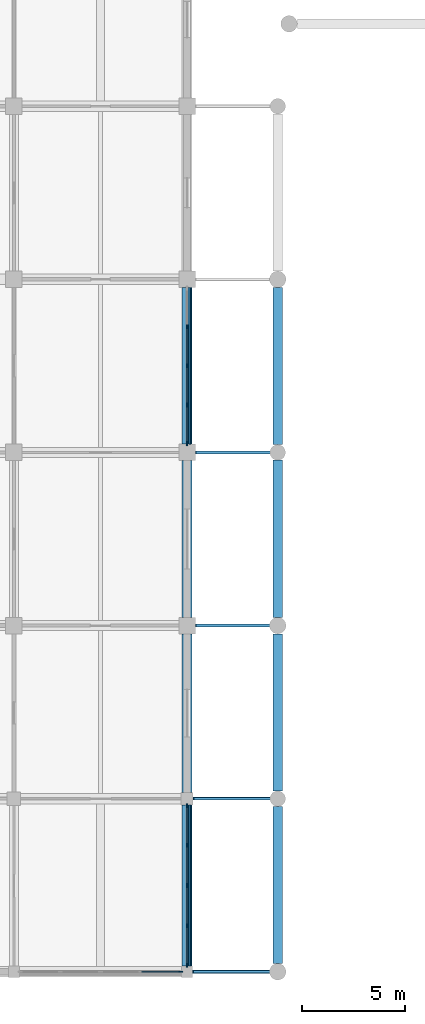
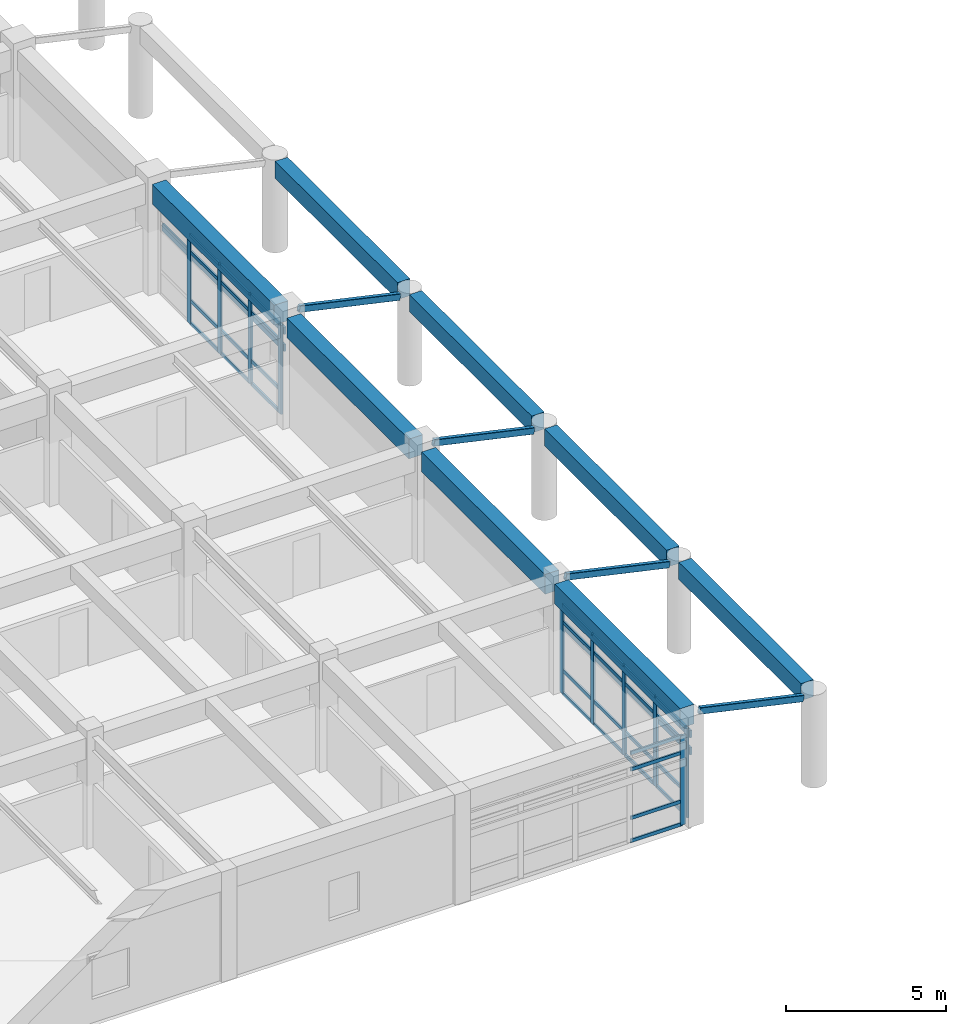
# One storey, part 5 of 99: 50 members, 8 beams, 3 elements without a shape of their own.
"""IFC4 building model written with IfcOpenShell, lengths in metres."""

from ifc_helpers import new_model, si_unit, direction, frame, origin, origin_2d, place, context, subcontext, project, spatial, rectangle, hollow_rectangle, extrude, material, layer, layer_set, material_profile, profile_set, type_object, element, aggregate, save


model = new_model("IFC4")

# Units and contexts
model_context = context("Model", 3, precision=1e-05, world=origin(), true_north=direction((0.0, 1.0)))
body_context = subcontext(model_context, "Body", "Model", "MODEL_VIEW")
ifc_project = project(units=[si_unit("LENGTHUNIT", "METRE"), si_unit("AREAUNIT", "SQUARE_METRE"), si_unit("VOLUMEUNIT", "CUBIC_METRE"), si_unit("PLANEANGLEUNIT", "RADIAN"), si_unit("MASSUNIT", "GRAM", prefix="KILO")], contexts=[model_context])

# Site, building, storey
site_placement = place(None, origin())
site = spatial("IfcSite", under=ifc_project, at=site_placement, CompositionType="ELEMENT")
building_placement = place(site_placement, origin())
building = spatial("IfcBuilding", under=site, at=building_placement, Name="Porcellanite Civic Hall", CompositionType="ELEMENT")
storey_placement = place(building_placement, frame((0.0, 0.0, 5.760009765625)))
storey = spatial("IfcBuildingStorey", under=building, at=storey_placement, Name="L01", CompositionType="ELEMENT", Elevation=5.760009765625)

# Beams
ifc_material_1 = material(Name="Concrete N50 (50 MPa)", Category="concrete")
ifc_material_profile_1 = material_profile(ifc_material_1, rectangle(XDim=0.449951171875, YDim=0.64990234375, at=origin_2d()), Name="RC-450x650")
ifc_profile_set_1 = profile_set([ifc_material_profile_1], Name="Concrete N50 (50 MPa)")
beam_type_1 = type_object("IfcBeamType", Name="BM-RC650", PredefinedType="SPANDREL", material=ifc_profile_set_1)
for number, where, z_axis, x_axis, name in (
    (1, (38.0, 0.3994140625, 3.205078125), (0.0, 1.0, 0.0), (-1.0, 0.0, 0.0), "Colonnade keystone beam L01 COL-W-P01"),
    (2, (38.0, 8.7744140625, 3.205078125), (0.0, 1.0, 0.0), (-1.0, 0.0, 0.0), "Colonnade keystone beam L01 COL-W-P02"),
    (3, (38.0, 17.199462890625, 3.205078125), (0.0, 1.0, 0.0), (-1.0, 0.0, 0.0), "Colonnade keystone beam L01 COL-W-P03"),
    (4, (38.0, 25.574462890625, 3.205078125), (0.0, 1.0, 0.0), (-1.0, 0.0, 0.0), "Colonnade keystone beam L01 COL-W-P04"),
):
    element("IfcBeam", number, at=place(storey_placement, frame(where, z_axis=z_axis, x_axis=x_axis)), inside=storey, type_object=beam_type_1, Name=name, PredefinedType="SPANDREL", context=body_context, shape_type="SweptSolid", body=[
        extrude(rectangle(XDim=0.449951171875, YDim=0.64990234375, at=origin_2d()), origin(), (0.0, 0.0, 1.0), 7.6259765625),
    ])
ifc_material_2 = material(Name="Concrete N50 (50 MPa)", Category="concrete")
ifc_material_profile_2 = material_profile(ifc_material_2, rectangle(XDim=0.5, YDim=0.75, at=origin_2d()), Name="RC-500x750")
ifc_profile_set_2 = profile_set([ifc_material_profile_2], Name="Concrete N50 (50 MPa)")
beam_type_2 = type_object("IfcBeamType", Name="BM-RC750", PredefinedType="SPANDREL", material=ifc_profile_set_2)
beam_1_placement = place(storey_placement, frame((33.60009765625, 0.2744140625, 3.824951171875), z_axis=(0.0, 1.0, 0.0), x_axis=(-1.0, 0.0, 0.0)))
element("IfcBeam", 5, at=beam_1_placement, inside=storey, type_object=beam_type_2, Name="Beam Y L01 5-1", PredefinedType="SPANDREL", context=body_context, shape_type="SweptSolid", body=[
    extrude(rectangle(XDim=0.5, YDim=0.75, at=origin_2d()), origin(), (0.0, 0.0, 1.0), 7.826171875),
])
beam_2_placement = place(storey_placement, frame((33.60009765625, 8.699462890625, 3.824951171875), z_axis=(0.0, 1.0, 0.0), x_axis=(-1.0, 0.0, 0.0)))
element("IfcBeam", 6, at=beam_2_placement, inside=storey, type_object=beam_type_2, Name="Beam Y L01 5-2", PredefinedType="SPANDREL", context=body_context, shape_type="SweptSolid", body=[
    extrude(rectangle(XDim=0.5, YDim=0.75, at=origin_2d()), origin(), (0.0, 0.0, 1.0), 7.700927734375),
])
beam_3_placement = place(storey_placement, frame((33.60009765625, 17.199462890625, 3.824951171875), z_axis=(0.0, 1.0, 0.0), x_axis=(-1.0, 0.0, 0.0)))
element("IfcBeam", 7, at=beam_3_placement, inside=storey, type_object=beam_type_2, Name="Beam Y L01 5-3", PredefinedType="SPANDREL", context=body_context, shape_type="SweptSolid", body=[
    extrude(rectangle(XDim=0.5, YDim=0.75, at=origin_2d()), origin(), (0.0, 0.0, 1.0), 7.60107421875),
])
beam_4_placement = place(storey_placement, frame((33.60009765625, 25.599609375, 3.824951171875), z_axis=(0.0, 1.0, 0.0), x_axis=(-1.0, 0.0, 0.0)))
element("IfcBeam", 8, at=beam_4_placement, inside=storey, type_object=beam_type_2, Name="Beam Y L01 5-4", PredefinedType="SPANDREL", context=body_context, shape_type="SweptSolid", body=[
    extrude(rectangle(XDim=0.5, YDim=0.75, at=origin_2d()), origin(), (0.0, 0.0, 1.0), 7.600830078125),
])

# Curtain wall, member
ifc_material_3 = material(Name="Anodised aluminium and solar laminated glass", Category="aluminium")
ifc_layer = layer(ifc_material_3, 0.179931640625)
ifc_layer_set = layer_set([ifc_layer], Name="Anodised aluminium and solar laminated glass")
curtain_wall_type = type_object("IfcCurtainWallType", Name="CW-SYS05", PredefinedType="NOTDEFINED", material=ifc_layer_set)
curtain_wall_1_placement = place(storey_placement, origin())
curtain_wall_1 = element("IfcCurtainWall", 9, at=curtain_wall_1_placement, inside=storey, type_object=curtain_wall_type, Name="Curtain wall CW-069", PredefinedType="NOTDEFINED")
ifc_material_4 = material(Name="Anodised aluminium 6063-T6", Category="aluminium")
ifc_material_profile_3 = material_profile(ifc_material_4, rectangle(XDim=0.070068359375, YDim=0.199951171875, at=origin_2d()), Name="AL-70x200")
ifc_profile_set_3 = profile_set([ifc_material_profile_3], Name="Anodised aluminium 6063-T6")
member_type_1 = type_object("IfcMemberType", Name="CWM-05", PredefinedType="MULLION", material=ifc_profile_set_3)
member_1_placement = place(storey_placement, frame((33.2890625, 0.0, 0.0), z_axis=(0.0, 0.0, 1.0), x_axis=(0.0, -1.0, 0.0)))
member_1 = element("IfcMember", 10, at=member_1_placement, type_object=member_type_1, Name="CW-069 mullion 1", PredefinedType="MULLION", context=body_context, shape_type="SweptSolid", body=[
    extrude(rectangle(XDim=0.070068359375, YDim=0.199951171875, at=origin_2d()), origin(), (0.0, 0.0, 1.0), 3.39990234375),
])

# Curtain wall, members
curtain_wall_2_placement = place(storey_placement, origin())
curtain_wall_2 = element("IfcCurtainWall", 11, at=curtain_wall_2_placement, inside=storey, type_object=curtain_wall_type, Name="Curtain wall CW-070", PredefinedType="NOTDEFINED")
member_2_placement = place(storey_placement, frame((33.60009765625, 8.06396484375, 0.0), z_axis=(0.0, 0.0, 1.0), x_axis=(1.0, 0.0, 0.0)))
member_2 = element("IfcMember", 12, at=member_2_placement, type_object=member_type_1, Name="CW-070 mullion 1", PredefinedType="MULLION", context=body_context, shape_type="SweptSolid", body=[
    extrude(rectangle(XDim=0.070068359375, YDim=0.199951171875, at=origin_2d()), origin(), (0.0, 0.0, 1.0), 3.39990234375),
])
member_3_placement = place(storey_placement, frame((33.60009765625, 6.143310546875, 0.0), z_axis=(0.0, 0.0, 1.0), x_axis=(1.0, 0.0, 0.0)))
member_3 = element("IfcMember", 13, at=member_3_placement, type_object=member_type_1, Name="CW-070 mullion 2", PredefinedType="MULLION", context=body_context, shape_type="SweptSolid", body=[
    extrude(rectangle(XDim=0.070068359375, YDim=0.199951171875, at=origin_2d()), origin(), (0.0, 0.0, 1.0), 3.39990234375),
])
member_4_placement = place(storey_placement, frame((33.60009765625, 4.1875, 0.0), z_axis=(0.0, 0.0, 1.0), x_axis=(1.0, 0.0, 0.0)))
member_4 = element("IfcMember", 14, at=member_4_placement, type_object=member_type_1, Name="CW-070 mullion 3", PredefinedType="MULLION", context=body_context, shape_type="SweptSolid", body=[
    extrude(rectangle(XDim=0.070068359375, YDim=0.199951171875, at=origin_2d()), origin(), (0.0, 0.0, 1.0), 3.39990234375),
])
member_5_placement = place(storey_placement, frame((33.60009765625, 2.231689453125, 0.0), z_axis=(0.0, 0.0, 1.0), x_axis=(1.0, 0.0, 0.0)))
member_5 = element("IfcMember", 15, at=member_5_placement, type_object=member_type_1, Name="CW-070 mullion 4", PredefinedType="MULLION", context=body_context, shape_type="SweptSolid", body=[
    extrude(rectangle(XDim=0.070068359375, YDim=0.199951171875, at=origin_2d()), origin(), (0.0, 0.0, 1.0), 3.39990234375),
])
member_6_placement = place(storey_placement, frame((33.60009765625, 0.31103515625, 0.0), z_axis=(0.0, 0.0, 1.0), x_axis=(1.0, 0.0, 0.0)))
member_6 = element("IfcMember", 16, at=member_6_placement, type_object=member_type_1, Name="CW-070 mullion 5", PredefinedType="MULLION", context=body_context, shape_type="SweptSolid", body=[
    extrude(rectangle(XDim=0.070068359375, YDim=0.199951171875, at=origin_2d()), origin(), (0.0, 0.0, 1.0), 3.39990234375),
])

curtain_wall_3_placement = place(storey_placement, origin())
curtain_wall_3 = element("IfcCurtainWall", 17, at=curtain_wall_3_placement, inside=storey, type_object=curtain_wall_type, Name="Curtain wall CW-071", PredefinedType="NOTDEFINED")
member_7_placement = place(storey_placement, frame((33.60009765625, 31.299560546875, 0.0), z_axis=(0.0, 0.0, 1.0), x_axis=(1.0, 0.0, 0.0)))
member_7 = element("IfcMember", 18, at=member_7_placement, type_object=member_type_1, Name="CW-071 mullion 2", PredefinedType="MULLION", context=body_context, shape_type="SweptSolid", body=[
    extrude(rectangle(XDim=0.070068359375, YDim=0.199951171875, at=origin_2d()), origin(), (0.0, 0.0, 1.0), 3.39990234375),
])
member_8_placement = place(storey_placement, frame((33.60009765625, 29.39990234375, 0.0), z_axis=(0.0, 0.0, 1.0), x_axis=(1.0, 0.0, 0.0)))
member_8 = element("IfcMember", 19, at=member_8_placement, type_object=member_type_1, Name="CW-071 mullion 3", PredefinedType="MULLION", context=body_context, shape_type="SweptSolid", body=[
    extrude(rectangle(XDim=0.070068359375, YDim=0.199951171875, at=origin_2d()), origin(), (0.0, 0.0, 1.0), 3.39990234375),
])
member_9_placement = place(storey_placement, frame((33.60009765625, 27.50048828125, 0.0), z_axis=(0.0, 0.0, 1.0), x_axis=(1.0, 0.0, 0.0)))
member_9 = element("IfcMember", 20, at=member_9_placement, type_object=member_type_1, Name="CW-071 mullion 4", PredefinedType="MULLION", context=body_context, shape_type="SweptSolid", body=[
    extrude(rectangle(XDim=0.070068359375, YDim=0.199951171875, at=origin_2d()), origin(), (0.0, 0.0, 1.0), 3.39990234375),
])
member_10_placement = place(storey_placement, frame((33.60009765625, 25.635986328125, 0.0), z_axis=(0.0, 0.0, 1.0), x_axis=(1.0, 0.0, 0.0)))
member_10 = element("IfcMember", 21, at=member_10_placement, type_object=member_type_1, Name="CW-071 mullion 5", PredefinedType="MULLION", context=body_context, shape_type="SweptSolid", body=[
    extrude(rectangle(XDim=0.070068359375, YDim=0.199951171875, at=origin_2d()), origin(), (0.0, 0.0, 1.0), 3.39990234375),
])

# Member
ifc_material_5 = material(Name="Anodised aluminium 6063-T6", Category="aluminium")
ifc_material_profile_4 = material_profile(ifc_material_5, rectangle(XDim=0.06005859375, YDim=0.1298828125, at=origin_2d()), Name="AL-60x130")
ifc_profile_set_4 = profile_set([ifc_material_profile_4], Name="Anodised aluminium 6063-T6")
member_type_2 = type_object("IfcMemberType", Name="CWT-03", PredefinedType="USERDEFINED", material=ifc_profile_set_4)
member_11_placement = place(storey_placement, frame((33.25390625, 0.0, 0.030029296875), z_axis=(-1.0, 0.0, 0.0), x_axis=(0.0, -1.0, 0.0)))
member_11 = element("IfcMember", 22, at=member_11_placement, type_object=member_type_2, Name="CW-069 transom 1.1", ObjectType="TRANSOM", PredefinedType="USERDEFINED", context=body_context, shape_type="SweptSolid", body=[
    extrude(rectangle(XDim=0.06005859375, YDim=0.1298828125, at=origin_2d()), origin(), (0.0, 0.0, 1.0), 1.85693359375),
])

member_12_placement = place(storey_placement, frame((33.25390625, 0.0, 0.89990234375), z_axis=(-1.0, 0.0, 0.0), x_axis=(0.0, -1.0, 0.0)))
member_12 = element("IfcMember", 23, at=member_12_placement, type_object=member_type_2, Name="CW-069 transom 1.2", ObjectType="TRANSOM", PredefinedType="USERDEFINED", context=body_context, shape_type="SweptSolid", body=[
    extrude(rectangle(XDim=0.06005859375, YDim=0.1298828125, at=origin_2d()), origin(), (0.0, 0.0, 1.0), 1.85693359375),
])

member_13_placement = place(storey_placement, frame((33.25390625, 0.0, 2.75), z_axis=(-1.0, 0.0, 0.0), x_axis=(0.0, -1.0, 0.0)))
member_13 = element("IfcMember", 24, at=member_13_placement, type_object=member_type_2, Name="CW-069 transom 1.3", ObjectType="TRANSOM", PredefinedType="USERDEFINED", context=body_context, shape_type="SweptSolid", body=[
    extrude(rectangle(XDim=0.06005859375, YDim=0.1298828125, at=origin_2d()), origin(), (0.0, 0.0, 1.0), 1.85693359375),
])

member_14_placement = place(storey_placement, frame((33.25390625, 0.0, 3.369873046875), z_axis=(-1.0, 0.0, 0.0), x_axis=(0.0, -1.0, 0.0)))
member_14 = element("IfcMember", 25, at=member_14_placement, type_object=member_type_2, Name="CW-069 transom 1.4", ObjectType="TRANSOM", PredefinedType="USERDEFINED", context=body_context, shape_type="SweptSolid", body=[
    extrude(rectangle(XDim=0.06005859375, YDim=0.1298828125, at=origin_2d()), origin(), (0.0, 0.0, 1.0), 1.85693359375),
])

aggregate(curtain_wall_1, [member_1, member_11, member_12, member_13, member_14])

member_15_placement = place(storey_placement, frame((33.60009765625, 8.029052734375, 0.030029296875), z_axis=(0.0, -1.0, 0.0), x_axis=(1.0, 0.0, 0.0)))
member_15 = element("IfcMember", 26, at=member_15_placement, type_object=member_type_2, Name="CW-070 transom 1.1", ObjectType="TRANSOM", PredefinedType="USERDEFINED", context=body_context, shape_type="SweptSolid", body=[
    extrude(rectangle(XDim=0.06005859375, YDim=0.1298828125, at=origin_2d()), origin(), (0.0, 0.0, 1.0), 1.850830078125),
])

member_16_placement = place(storey_placement, frame((33.60009765625, 8.029052734375, 0.89990234375), z_axis=(0.0, -1.0, 0.0), x_axis=(1.0, 0.0, 0.0)))
member_16 = element("IfcMember", 27, at=member_16_placement, type_object=member_type_2, Name="CW-070 transom 1.2", ObjectType="TRANSOM", PredefinedType="USERDEFINED", context=body_context, shape_type="SweptSolid", body=[
    extrude(rectangle(XDim=0.06005859375, YDim=0.1298828125, at=origin_2d()), origin(), (0.0, 0.0, 1.0), 1.850830078125),
])

member_17_placement = place(storey_placement, frame((33.60009765625, 8.029052734375, 2.75), z_axis=(0.0, -1.0, 0.0), x_axis=(1.0, 0.0, 0.0)))
member_17 = element("IfcMember", 28, at=member_17_placement, type_object=member_type_2, Name="CW-070 transom 1.3", ObjectType="TRANSOM", PredefinedType="USERDEFINED", context=body_context, shape_type="SweptSolid", body=[
    extrude(rectangle(XDim=0.06005859375, YDim=0.1298828125, at=origin_2d()), origin(), (0.0, 0.0, 1.0), 1.850830078125),
])

member_18_placement = place(storey_placement, frame((33.60009765625, 8.029052734375, 3.369873046875), z_axis=(0.0, -1.0, 0.0), x_axis=(1.0, 0.0, 0.0)))
member_18 = element("IfcMember", 29, at=member_18_placement, type_object=member_type_2, Name="CW-070 transom 1.4", ObjectType="TRANSOM", PredefinedType="USERDEFINED", context=body_context, shape_type="SweptSolid", body=[
    extrude(rectangle(XDim=0.06005859375, YDim=0.1298828125, at=origin_2d()), origin(), (0.0, 0.0, 1.0), 1.850830078125),
])

member_19_placement = place(storey_placement, frame((33.60009765625, 6.108154296875, 0.030029296875), z_axis=(0.0, -1.0, 0.0), x_axis=(1.0, 0.0, 0.0)))
member_19 = element("IfcMember", 30, at=member_19_placement, type_object=member_type_2, Name="CW-070 transom 2.1", ObjectType="TRANSOM", PredefinedType="USERDEFINED", context=body_context, shape_type="SweptSolid", body=[
    extrude(rectangle(XDim=0.06005859375, YDim=0.1298828125, at=origin_2d()), origin(), (0.0, 0.0, 1.0), 1.8857421875),
])

member_20_placement = place(storey_placement, frame((33.60009765625, 6.108154296875, 0.89990234375), z_axis=(0.0, -1.0, 0.0), x_axis=(1.0, 0.0, 0.0)))
member_20 = element("IfcMember", 31, at=member_20_placement, type_object=member_type_2, Name="CW-070 transom 2.2", ObjectType="TRANSOM", PredefinedType="USERDEFINED", context=body_context, shape_type="SweptSolid", body=[
    extrude(rectangle(XDim=0.06005859375, YDim=0.1298828125, at=origin_2d()), origin(), (0.0, 0.0, 1.0), 1.8857421875),
])

member_21_placement = place(storey_placement, frame((33.60009765625, 6.108154296875, 2.75), z_axis=(0.0, -1.0, 0.0), x_axis=(1.0, 0.0, 0.0)))
member_21 = element("IfcMember", 32, at=member_21_placement, type_object=member_type_2, Name="CW-070 transom 2.3", ObjectType="TRANSOM", PredefinedType="USERDEFINED", context=body_context, shape_type="SweptSolid", body=[
    extrude(rectangle(XDim=0.06005859375, YDim=0.1298828125, at=origin_2d()), origin(), (0.0, 0.0, 1.0), 1.8857421875),
])

member_22_placement = place(storey_placement, frame((33.60009765625, 6.108154296875, 3.369873046875), z_axis=(0.0, -1.0, 0.0), x_axis=(1.0, 0.0, 0.0)))
member_22 = element("IfcMember", 33, at=member_22_placement, type_object=member_type_2, Name="CW-070 transom 2.4", ObjectType="TRANSOM", PredefinedType="USERDEFINED", context=body_context, shape_type="SweptSolid", body=[
    extrude(rectangle(XDim=0.06005859375, YDim=0.1298828125, at=origin_2d()), origin(), (0.0, 0.0, 1.0), 1.8857421875),
])

member_23_placement = place(storey_placement, frame((33.60009765625, 4.152587890625, 0.030029296875), z_axis=(0.0, -1.0, 0.0), x_axis=(1.0, 0.0, 0.0)))
member_23 = element("IfcMember", 34, at=member_23_placement, type_object=member_type_2, Name="CW-070 transom 3.1", ObjectType="TRANSOM", PredefinedType="USERDEFINED", context=body_context, shape_type="SweptSolid", body=[
    extrude(rectangle(XDim=0.06005859375, YDim=0.1298828125, at=origin_2d()), origin(), (0.0, 0.0, 1.0), 1.8857421875),
])

member_24_placement = place(storey_placement, frame((33.60009765625, 4.152587890625, 0.89990234375), z_axis=(0.0, -1.0, 0.0), x_axis=(1.0, 0.0, 0.0)))
member_24 = element("IfcMember", 35, at=member_24_placement, type_object=member_type_2, Name="CW-070 transom 3.2", ObjectType="TRANSOM", PredefinedType="USERDEFINED", context=body_context, shape_type="SweptSolid", body=[
    extrude(rectangle(XDim=0.06005859375, YDim=0.1298828125, at=origin_2d()), origin(), (0.0, 0.0, 1.0), 1.8857421875),
])

member_25_placement = place(storey_placement, frame((33.60009765625, 4.152587890625, 2.75), z_axis=(0.0, -1.0, 0.0), x_axis=(1.0, 0.0, 0.0)))
member_25 = element("IfcMember", 36, at=member_25_placement, type_object=member_type_2, Name="CW-070 transom 3.3", ObjectType="TRANSOM", PredefinedType="USERDEFINED", context=body_context, shape_type="SweptSolid", body=[
    extrude(rectangle(XDim=0.06005859375, YDim=0.1298828125, at=origin_2d()), origin(), (0.0, 0.0, 1.0), 1.8857421875),
])

member_26_placement = place(storey_placement, frame((33.60009765625, 4.152587890625, 3.369873046875), z_axis=(0.0, -1.0, 0.0), x_axis=(1.0, 0.0, 0.0)))
member_26 = element("IfcMember", 37, at=member_26_placement, type_object=member_type_2, Name="CW-070 transom 3.4", ObjectType="TRANSOM", PredefinedType="USERDEFINED", context=body_context, shape_type="SweptSolid", body=[
    extrude(rectangle(XDim=0.06005859375, YDim=0.1298828125, at=origin_2d()), origin(), (0.0, 0.0, 1.0), 1.8857421875),
])

member_27_placement = place(storey_placement, frame((33.60009765625, 2.19677734375, 0.030029296875), z_axis=(0.0, -1.0, 0.0), x_axis=(1.0, 0.0, 0.0)))
member_27 = element("IfcMember", 38, at=member_27_placement, type_object=member_type_2, Name="CW-070 transom 4.1", ObjectType="TRANSOM", PredefinedType="USERDEFINED", context=body_context, shape_type="SweptSolid", body=[
    extrude(rectangle(XDim=0.06005859375, YDim=0.1298828125, at=origin_2d()), origin(), (0.0, 0.0, 1.0), 1.850830078125),
])

member_28_placement = place(storey_placement, frame((33.60009765625, 2.19677734375, 0.89990234375), z_axis=(0.0, -1.0, 0.0), x_axis=(1.0, 0.0, 0.0)))
member_28 = element("IfcMember", 39, at=member_28_placement, type_object=member_type_2, Name="CW-070 transom 4.2", ObjectType="TRANSOM", PredefinedType="USERDEFINED", context=body_context, shape_type="SweptSolid", body=[
    extrude(rectangle(XDim=0.06005859375, YDim=0.1298828125, at=origin_2d()), origin(), (0.0, 0.0, 1.0), 1.850830078125),
])

member_29_placement = place(storey_placement, frame((33.60009765625, 2.19677734375, 2.75), z_axis=(0.0, -1.0, 0.0), x_axis=(1.0, 0.0, 0.0)))
member_29 = element("IfcMember", 40, at=member_29_placement, type_object=member_type_2, Name="CW-070 transom 4.3", ObjectType="TRANSOM", PredefinedType="USERDEFINED", context=body_context, shape_type="SweptSolid", body=[
    extrude(rectangle(XDim=0.06005859375, YDim=0.1298828125, at=origin_2d()), origin(), (0.0, 0.0, 1.0), 1.850830078125),
])

member_30_placement = place(storey_placement, frame((33.60009765625, 2.19677734375, 3.369873046875), z_axis=(0.0, -1.0, 0.0), x_axis=(1.0, 0.0, 0.0)))
member_30 = element("IfcMember", 41, at=member_30_placement, type_object=member_type_2, Name="CW-070 transom 4.4", ObjectType="TRANSOM", PredefinedType="USERDEFINED", context=body_context, shape_type="SweptSolid", body=[
    extrude(rectangle(XDim=0.06005859375, YDim=0.1298828125, at=origin_2d()), origin(), (0.0, 0.0, 1.0), 1.850830078125),
])

aggregate(curtain_wall_2, [member_2, member_3, member_4, member_5, member_6, member_15, member_16, member_17, member_18, member_19, member_20, member_21, member_22, member_23, member_24, member_25, member_26, member_27, member_28, member_29, member_30])

member_31_placement = place(storey_placement, frame((33.60009765625, 31.264404296875, 0.030029296875), z_axis=(0.0, -1.0, 0.0), x_axis=(1.0, 0.0, 0.0)))
member_31 = element("IfcMember", 42, at=member_31_placement, type_object=member_type_2, Name="CW-071 transom 2.1", ObjectType="TRANSOM", PredefinedType="USERDEFINED", context=body_context, shape_type="SweptSolid", body=[
    extrude(rectangle(XDim=0.06005859375, YDim=0.1298828125, at=origin_2d()), origin(), (0.0, 0.0, 1.0), 1.829345703125),
])

member_32_placement = place(storey_placement, frame((33.60009765625, 31.264404296875, 0.89990234375), z_axis=(0.0, -1.0, 0.0), x_axis=(1.0, 0.0, 0.0)))
member_32 = element("IfcMember", 43, at=member_32_placement, type_object=member_type_2, Name="CW-071 transom 2.2", ObjectType="TRANSOM", PredefinedType="USERDEFINED", context=body_context, shape_type="SweptSolid", body=[
    extrude(rectangle(XDim=0.06005859375, YDim=0.1298828125, at=origin_2d()), origin(), (0.0, 0.0, 1.0), 1.829345703125),
])

member_33_placement = place(storey_placement, frame((33.60009765625, 31.264404296875, 2.75), z_axis=(0.0, -1.0, 0.0), x_axis=(1.0, 0.0, 0.0)))
member_33 = element("IfcMember", 44, at=member_33_placement, type_object=member_type_2, Name="CW-071 transom 2.3", ObjectType="TRANSOM", PredefinedType="USERDEFINED", context=body_context, shape_type="SweptSolid", body=[
    extrude(rectangle(XDim=0.06005859375, YDim=0.1298828125, at=origin_2d()), origin(), (0.0, 0.0, 1.0), 1.829345703125),
])

member_34_placement = place(storey_placement, frame((33.60009765625, 31.264404296875, 3.369873046875), z_axis=(0.0, -1.0, 0.0), x_axis=(1.0, 0.0, 0.0)))
member_34 = element("IfcMember", 45, at=member_34_placement, type_object=member_type_2, Name="CW-071 transom 2.4", ObjectType="TRANSOM", PredefinedType="USERDEFINED", context=body_context, shape_type="SweptSolid", body=[
    extrude(rectangle(XDim=0.06005859375, YDim=0.1298828125, at=origin_2d()), origin(), (0.0, 0.0, 1.0), 1.829345703125),
])

member_35_placement = place(storey_placement, frame((33.60009765625, 29.364990234375, 0.030029296875), z_axis=(0.0, -1.0, 0.0), x_axis=(1.0, 0.0, 0.0)))
member_35 = element("IfcMember", 46, at=member_35_placement, type_object=member_type_2, Name="CW-071 transom 3.1", ObjectType="TRANSOM", PredefinedType="USERDEFINED", context=body_context, shape_type="SweptSolid", body=[
    extrude(rectangle(XDim=0.06005859375, YDim=0.1298828125, at=origin_2d()), origin(), (0.0, 0.0, 1.0), 1.82958984375),
])

member_36_placement = place(storey_placement, frame((33.60009765625, 29.364990234375, 0.89990234375), z_axis=(0.0, -1.0, 0.0), x_axis=(1.0, 0.0, 0.0)))
member_36 = element("IfcMember", 47, at=member_36_placement, type_object=member_type_2, Name="CW-071 transom 3.2", ObjectType="TRANSOM", PredefinedType="USERDEFINED", context=body_context, shape_type="SweptSolid", body=[
    extrude(rectangle(XDim=0.06005859375, YDim=0.1298828125, at=origin_2d()), origin(), (0.0, 0.0, 1.0), 1.82958984375),
])

member_37_placement = place(storey_placement, frame((33.60009765625, 29.364990234375, 2.75), z_axis=(0.0, -1.0, 0.0), x_axis=(1.0, 0.0, 0.0)))
member_37 = element("IfcMember", 48, at=member_37_placement, type_object=member_type_2, Name="CW-071 transom 3.3", ObjectType="TRANSOM", PredefinedType="USERDEFINED", context=body_context, shape_type="SweptSolid", body=[
    extrude(rectangle(XDim=0.06005859375, YDim=0.1298828125, at=origin_2d()), origin(), (0.0, 0.0, 1.0), 1.82958984375),
])

member_38_placement = place(storey_placement, frame((33.60009765625, 29.364990234375, 3.369873046875), z_axis=(0.0, -1.0, 0.0), x_axis=(1.0, 0.0, 0.0)))
member_38 = element("IfcMember", 49, at=member_38_placement, type_object=member_type_2, Name="CW-071 transom 3.4", ObjectType="TRANSOM", PredefinedType="USERDEFINED", context=body_context, shape_type="SweptSolid", body=[
    extrude(rectangle(XDim=0.06005859375, YDim=0.1298828125, at=origin_2d()), origin(), (0.0, 0.0, 1.0), 1.82958984375),
])

member_39_placement = place(storey_placement, frame((33.60009765625, 27.465576171875, 0.030029296875), z_axis=(0.0, -1.0, 0.0), x_axis=(1.0, 0.0, 0.0)))
member_39 = element("IfcMember", 50, at=member_39_placement, type_object=member_type_2, Name="CW-071 transom 4.1", ObjectType="TRANSOM", PredefinedType="USERDEFINED", context=body_context, shape_type="SweptSolid", body=[
    extrude(rectangle(XDim=0.06005859375, YDim=0.1298828125, at=origin_2d()), origin(), (0.0, 0.0, 1.0), 1.794677734375),
])

member_40_placement = place(storey_placement, frame((33.60009765625, 27.465576171875, 0.89990234375), z_axis=(0.0, -1.0, 0.0), x_axis=(1.0, 0.0, 0.0)))
member_40 = element("IfcMember", 51, at=member_40_placement, type_object=member_type_2, Name="CW-071 transom 4.2", ObjectType="TRANSOM", PredefinedType="USERDEFINED", context=body_context, shape_type="SweptSolid", body=[
    extrude(rectangle(XDim=0.06005859375, YDim=0.1298828125, at=origin_2d()), origin(), (0.0, 0.0, 1.0), 1.794677734375),
])

member_41_placement = place(storey_placement, frame((33.60009765625, 27.465576171875, 2.75), z_axis=(0.0, -1.0, 0.0), x_axis=(1.0, 0.0, 0.0)))
member_41 = element("IfcMember", 52, at=member_41_placement, type_object=member_type_2, Name="CW-071 transom 4.3", ObjectType="TRANSOM", PredefinedType="USERDEFINED", context=body_context, shape_type="SweptSolid", body=[
    extrude(rectangle(XDim=0.06005859375, YDim=0.1298828125, at=origin_2d()), origin(), (0.0, 0.0, 1.0), 1.794677734375),
])

member_42_placement = place(storey_placement, frame((33.60009765625, 27.465576171875, 3.369873046875), z_axis=(0.0, -1.0, 0.0), x_axis=(1.0, 0.0, 0.0)))
member_42 = element("IfcMember", 53, at=member_42_placement, type_object=member_type_2, Name="CW-071 transom 4.4", ObjectType="TRANSOM", PredefinedType="USERDEFINED", context=body_context, shape_type="SweptSolid", body=[
    extrude(rectangle(XDim=0.06005859375, YDim=0.1298828125, at=origin_2d()), origin(), (0.0, 0.0, 1.0), 1.794677734375),
])

aggregate(curtain_wall_3, [member_7, member_8, member_9, member_10, member_31, member_32, member_33, member_34, member_35, member_36, member_37, member_38, member_39, member_40, member_41, member_42])

# Members
ifc_material_6 = material(Name="Fluoropolymer bauxite-red aluminium 6063-T6", Category="aluminium")
ifc_material_profile_5 = material_profile(ifc_material_6, rectangle(XDim=0.070068359375, YDim=0.280029296875, at=origin_2d()), Name="AL-70x280")
ifc_profile_set_5 = profile_set([ifc_material_profile_5], Name="Fluoropolymer bauxite-red aluminium 6063-T6")
member_type_3 = type_object("IfcMemberType", Name="LV-BLD05", PredefinedType="USERDEFINED", material=ifc_profile_set_5)
for number, where, z_axis, x_axis, name in (
    (54, (33.737060546875, 8.1005859375, 3.10009765625), (0.0, -1.0, 0.0), (1.0, 0.0, 0.0), "Cyclone sunshade louvre L01 E 3-0 1"),
    (55, (33.737060546875, 8.1005859375, 2.449951171875), (0.0, -1.0, 0.0), (1.0, 0.0, 0.0), "Cyclone sunshade louvre L01 E 3-0 2"),
):
    element("IfcMember", number, at=place(storey_placement, frame(where, z_axis=z_axis, x_axis=x_axis)), inside=storey, type_object=member_type_3, Name=name, ObjectType="LOUVRE BLADE", PredefinedType="USERDEFINED", context=body_context, shape_type="SweptSolid", body=[
        extrude(rectangle(XDim=0.070068359375, YDim=0.280029296875, at=origin_2d()), origin(), (0.0, 0.0, 1.0), 7.826171875),
    ])
for number, where, z_axis, x_axis, name in (
    (56, (33.737060546875, 33.200439453125, 3.10009765625), (0.0, -1.0, 0.0), (1.0, 0.0, 0.0), "Cyclone sunshade louvre L01 E 3-3 1"),
    (57, (33.737060546875, 33.200439453125, 2.449951171875), (0.0, -1.0, 0.0), (1.0, 0.0, 0.0), "Cyclone sunshade louvre L01 E 3-3 2"),
):
    element("IfcMember", number, at=place(storey_placement, frame(where, z_axis=z_axis, x_axis=x_axis)), inside=storey, type_object=member_type_3, Name=name, ObjectType="LOUVRE BLADE", PredefinedType="USERDEFINED", context=body_context, shape_type="SweptSolid", body=[
        extrude(rectangle(XDim=0.070068359375, YDim=0.280029296875, at=origin_2d()), origin(), (0.0, 0.0, 1.0), 7.600830078125),
    ])
ifc_material_7 = material(Name="Steel C350L0", Category="steel")
ifc_material_profile_6 = material_profile(ifc_material_7, hollow_rectangle(XDim=0.14990234375, YDim=0.25, WallThickness=0.008056640625, InnerFilletRadius=0.011962890625, OuterFilletRadius=0.02001953125, at=origin_2d()), Name="250x150x8.0RHS")
ifc_profile_set_6 = profile_set([ifc_material_profile_6], Name="Steel C350L0")
member_type_4 = type_object("IfcMemberType", Name="STR-250RHS", PredefinedType="STRUT", material=ifc_profile_set_6)
for number, where, z_axis, x_axis, name in (
    (58, (33.87451171875, 0.0, 4.13525390625), (0.976302818584, 0.0, -0.216408887123), (0.0, 1.0, 0.0), "Colonnade raker COL-W-P01"),
    (59, (33.8994140625, 8.39990234375, 4.129638671875), (0.976302818584, 0.0, -0.216408887123), (0.0, 1.0, 0.0), "Colonnade raker COL-W-P02"),
):
    element("IfcMember", number, at=place(storey_placement, frame(where, z_axis=z_axis, x_axis=x_axis)), inside=storey, type_object=member_type_4, Name=name, PredefinedType="STRUT", context=body_context, shape_type="SweptSolid", body=[
        extrude(hollow_rectangle(XDim=0.14990234375, YDim=0.25, WallThickness=0.008056640625, InnerFilletRadius=0.011962890625, OuterFilletRadius=0.02001953125, at=origin_2d()), origin(), (0.0, 0.0, 1.0), 3.81640625),
    ])
member_43_placement = place(storey_placement, frame((33.99951171875, 16.800048828125, 4.107421875), z_axis=(0.97630993964, 0.0, -0.216376758826), x_axis=(0.0, 1.0, 0.0)))
element("IfcMember", 60, at=member_43_placement, inside=storey, type_object=member_type_4, Name="Colonnade raker COL-W-P03", PredefinedType="STRUT", context=body_context, shape_type="SweptSolid", body=[
    extrude(hollow_rectangle(XDim=0.14990234375, YDim=0.25, WallThickness=0.008056640625, InnerFilletRadius=0.011962890625, OuterFilletRadius=0.02001953125, at=origin_2d()), origin(), (0.0, 0.0, 1.0), 3.6884765625),
])
member_44_placement = place(storey_placement, frame((33.99951171875, 25.199951171875, 4.107421875), z_axis=(0.976304467502, 0.0, -0.216401448089), x_axis=(0.0, 1.0, 0.0)))
element("IfcMember", 61, at=member_44_placement, inside=storey, type_object=member_type_4, Name="Colonnade raker COL-W-P04", PredefinedType="STRUT", context=body_context, shape_type="SweptSolid", body=[
    extrude(hollow_rectangle(XDim=0.14990234375, YDim=0.25, WallThickness=0.008056640625, InnerFilletRadius=0.011962890625, OuterFilletRadius=0.02001953125, at=origin_2d()), origin(), (0.0, 0.0, 1.0), 3.7138671875),
])

save(model, "model.ifc")
